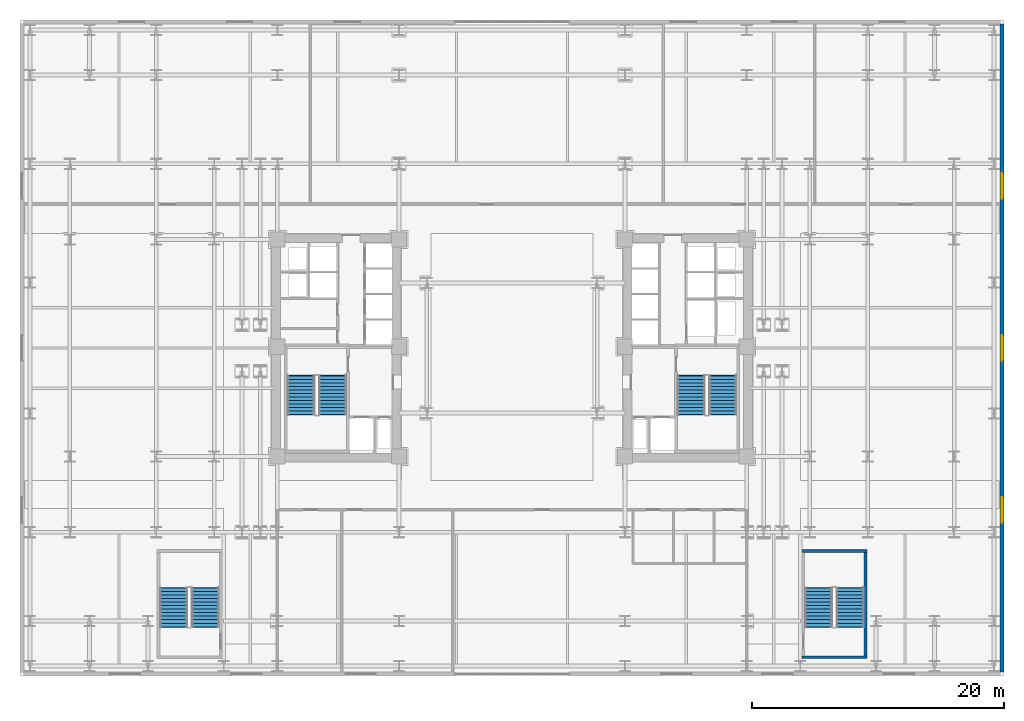
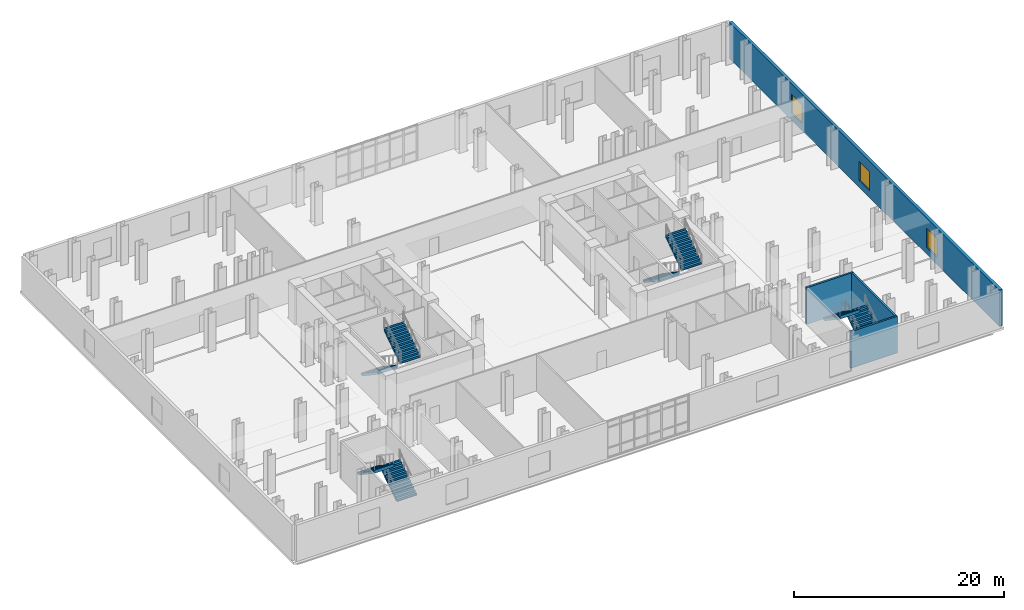
# One storey, part 11 of 15: 8 stair flights, 4 walls, 3 windows, 3 openings, 4 elements without a shape of their own.
"""IFC4 building model written with IfcOpenShell, lengths in metres."""

import ifcopenshell
import ifcopenshell.guid

model = None  # the IFC model being written
_history = None  # IfcOwnerHistory: only IFC2X3 demands one
_inside = {}  # id of a spatial element -> (the spatial element, [elements in it])
_under = {}  # id of a project, library or spatial element -> (it, [spatial elements below it])
_declared = {}  # id of a project -> (the project, [libraries it declares])
_typed = {}  # id of a type object -> (the type object, [elements of that type])
_made_of = {}  # id of a material, layer set ... -> (it, [elements and type objects made of it])


def new_model(schema):
    """Start an empty IFC model of exactly this schema.

    Asked for "IFC4X3", IfcOpenShell would pick the latest addendum, in which some entities
    have other attributes; the version numbers below select the first issue.
    IFC2X3 requires an IfcOwnerHistory on every rooted entity: one is made here for all.
    """
    global model, _history
    if schema == "IFC4X3":
        model = ifcopenshell.file(schema_version=(4, 3, 0, 0))
    else:
        model = ifcopenshell.file(schema=schema)
    _inside.clear()
    _under.clear()
    _declared.clear()
    _typed.clear()
    _made_of.clear()
    _history = None
    if model.schema == "IFC2X3":
        org = make("IfcOrganization", Name="unknown")
        user = make(
            "IfcPersonAndOrganization",
            ThePerson=make("IfcPerson", FamilyName="unknown"),
            TheOrganization=org,
        )
        app = make(
            "IfcApplication",
            ApplicationDeveloper=org,
            Version="unknown",
            ApplicationFullName="unknown",
            ApplicationIdentifier="unknown",
        )
        _history = make(
            "IfcOwnerHistory",
            OwningUser=user,
            OwningApplication=app,
            ChangeAction="ADDED",
            CreationDate=0,
        )
    return model


def make(cls, **values):
    """One entity of the class cls with the attributes given. An attribute that is None is left unset."""
    return model.create_entity(
        cls, **{name: value for name, value in values.items() if value is not None}
    )


def rooted(cls, **values):
    """An entity with a GlobalId (a new one), such as an element, a storey or a relation."""
    return make(cls, GlobalId=ifcopenshell.guid.new(), OwnerHistory=_history, **values)


def si_unit(unit_type, name, prefix=None):
    """IfcSIUnit, for example si_unit("LENGTHUNIT", "METRE", prefix="MILLI")."""
    return make("IfcSIUnit", UnitType=unit_type, Prefix=prefix, Name=name)


def assignment(units):
    """IfcUnitAssignment: the units of a project."""
    return None if units is None else make("IfcUnitAssignment", Units=units)


def point(xyz):
    """IfcCartesianPoint."""
    return None if xyz is None else make("IfcCartesianPoint", Coordinates=xyz)


def direction(xyz):
    """IfcDirection."""
    return None if xyz is None else make("IfcDirection", DirectionRatios=xyz)


def frame(location, z_axis=None, x_axis=None):
    """IfcAxis2Placement3D, a coordinate frame: its origin and axes. An axis left out is left unset."""
    return make(
        "IfcAxis2Placement3D",
        Location=point(location),
        Axis=direction(z_axis),
        RefDirection=direction(x_axis),
    )


def frame_2d(location, x_axis=None):
    """IfcAxis2Placement2D, a coordinate frame in the plane: its origin and x axis."""
    return make(
        "IfcAxis2Placement2D", Location=point(location), RefDirection=direction(x_axis)
    )


def origin():
    """The frame at (0, 0, 0) with its axes left unset."""
    return frame((0.0, 0.0, 0.0))


def place(relative_to, where):
    """IfcLocalPlacement: puts the frame where relative to a parent placement (None: the world)."""
    return make(
        "IfcLocalPlacement", PlacementRelTo=relative_to, RelativePlacement=where
    )


def context(
    kind, dimensions, precision=None, world=None, true_north=None, identifier=None
):
    """IfcGeometricRepresentationContext, for example the 3D "Model" context."""
    return make(
        "IfcGeometricRepresentationContext",
        ContextIdentifier=identifier,
        ContextType=kind,
        CoordinateSpaceDimension=dimensions,
        Precision=precision,
        WorldCoordinateSystem=world,
        TrueNorth=true_north,
    )


def subcontext(parent, identifier, kind, view, scale=None):
    """IfcGeometricRepresentationSubContext, for example "Body" below "Model"."""
    return make(
        "IfcGeometricRepresentationSubContext",
        ContextIdentifier=identifier,
        ContextType=kind,
        ParentContext=parent,
        TargetScale=scale,
        TargetView=view,
    )


def project(units=None, contexts=None):
    """IfcProject with its units and contexts."""
    return rooted(
        "IfcProject",
        Name="project",
        RepresentationContexts=contexts,
        UnitsInContext=assignment(units),
    )


def spatial(cls, under=None, at=None, **own):
    """A site, building, storey or space (cls), placed at a placement, below another one or the project."""
    s = rooted(cls, ObjectPlacement=at, **own)
    if under is not None:
        _under.setdefault(under.id(), (under, []))[1].append(s)
    return s


def polyline(points):
    """IfcPolyline through the points."""
    return make("IfcPolyline", Points=[point(p) for p in points])


def profile(cls, at=None, kind="AREA", **sizes):
    """A parametric profile (cls). Its sizes go by their IFC names, for example OverallWidth=200.0."""
    return make(cls, ProfileType=kind, Position=at, **sizes)


def rectangle(**sizes):
    """IfcRectangleProfileDef."""
    return profile("IfcRectangleProfileDef", **sizes)


def outline(outer, holes=None, kind="AREA"):
    """IfcArbitraryClosedProfileDef: a profile drawn as a closed curve; with holes, ...WithVoids."""
    if holes is None:
        return make("IfcArbitraryClosedProfileDef", ProfileType=kind, OuterCurve=outer)
    return make(
        "IfcArbitraryProfileDefWithVoids",
        ProfileType=kind,
        OuterCurve=outer,
        InnerCurves=holes,
    )


def extrude(swept, where, along, depth):
    """IfcExtrudedAreaSolid: the profile swept, set in the frame where, extruded along a direction by depth."""
    return make(
        "IfcExtrudedAreaSolid",
        SweptArea=swept,
        Position=where,
        ExtrudedDirection=direction(along),
        Depth=depth,
    )


def shape(context_of_items, identifier, shape_type, items):
    """IfcShapeRepresentation: the items that make up one representation, for example the "Body"."""
    return make(
        "IfcShapeRepresentation",
        ContextOfItems=context_of_items,
        RepresentationIdentifier=identifier,
        RepresentationType=shape_type,
        Items=items,
    )


def material(Name=None, Category=None):
    """IfcMaterial."""
    return make("IfcMaterial", Name=Name, Category=Category)


def layer(
    of_material, thickness, ventilated=None, Name=None, Category=None, Priority=None
):
    """IfcMaterialLayer: one layer of a wall or slab, of a material (None: an air gap)."""
    return make(
        "IfcMaterialLayer",
        Material=of_material,
        LayerThickness=thickness,
        IsVentilated=ventilated,
        Name=Name,
        Category=Category,
        Priority=Priority,
    )


def layer_set(layers, Name=None):
    """IfcMaterialLayerSet."""
    return make("IfcMaterialLayerSet", MaterialLayers=layers, LayerSetName=Name)


def made_of(thing, what):
    """Note that an element or type object is made of a material, layer set ...; save() writes the relation."""
    if what is not None:
        _made_of.setdefault(what.id(), (what, []))[1].append(thing)
    return thing


def type_object(cls, material=None, **own):
    """A type object (cls), such as IfcWallType, which elements share."""
    return made_of(rooted(cls, **own), material)


def element(
    cls,
    number,
    at=None,
    inside=None,
    cuts=None,
    type_object=None,
    material=None,
    context=None,
    identifier="Body",
    shape_type=None,
    held_by="IfcProductDefinitionShape",
    body=None,
    shapes=None,
    **own,
):
    """One element of the class cls, such as IfcWall. Its Tag is "e" and its number.

    at: its placement. inside: the storey or other place that contains it. cuts: it is an
    opening in that element (IfcRelVoidsElement). A single representation is given by context,
    identifier, shape_type and body (its items); several are given by shapes. held_by: the class
    of the entity that holds the representations. save() writes the other relations.
    """
    e = rooted(cls, Tag="e%d" % number, ObjectPlacement=at, **own)
    if body is not None:
        shapes = [shape(context, identifier, shape_type, body)]
    if shapes is not None:
        e.Representation = make(held_by, Representations=shapes)
    if inside is not None:
        _inside.setdefault(inside.id(), (inside, []))[1].append(e)
    if cuts is not None:
        rooted(
            "IfcRelVoidsElement", RelatingBuildingElement=cuts, RelatedOpeningElement=e
        )
    if type_object is not None:
        _typed.setdefault(type_object.id(), (type_object, []))[1].append(e)
    return made_of(e, material)


def fill(opening, filler):
    """IfcRelFillsElement: the door or window that sits in an opening."""
    return rooted(
        "IfcRelFillsElement",
        RelatingOpeningElement=opening,
        RelatedBuildingElement=filler,
    )


def aggregate(whole, parts):
    """IfcRelAggregates: a whole, such as a stair, and the parts it consists of."""
    return rooted("IfcRelAggregates", RelatingObject=whole, RelatedObjects=parts)


def save(model, path):
    """Write the relations noted so far, then the file.

    IfcRelAggregates (storeys below a building ...), IfcRelContainedInSpatialStructure (elements
    in a storey), IfcRelDefinesByType, IfcRelAssociatesMaterial and IfcRelDeclares: one each for
    every whole, place, type object, material and project.
    """
    for whole, parts in _under.values():
        aggregate(whole, parts)
    for where, things in _inside.values():
        rooted(
            "IfcRelContainedInSpatialStructure",
            RelatedElements=things,
            RelatingStructure=where,
        )
    for kind, things in _typed.values():
        rooted("IfcRelDefinesByType", RelatedObjects=things, RelatingType=kind)
    for what, things in _made_of.values():
        rooted("IfcRelAssociatesMaterial", RelatedObjects=things, RelatingMaterial=what)
    for by, libraries in _declared.values():
        rooted("IfcRelDeclares", RelatingContext=by, RelatedDefinitions=libraries)
    model.write(path)


model = new_model("IFC4")

# Units and contexts
model_context = context("Model", 3, precision=1e-05, world=origin(), true_north=direction((0.0, 1.0)))
body_context = subcontext(model_context, "Body", "Model", "MODEL_VIEW")
ifc_project = project(units=[si_unit("LENGTHUNIT", "METRE"), si_unit("AREAUNIT", "SQUARE_METRE"), si_unit("VOLUMEUNIT", "CUBIC_METRE"), si_unit("PLANEANGLEUNIT", "RADIAN"), si_unit("MASSUNIT", "GRAM", prefix="KILO")], contexts=[model_context])

# Site, building, storey
site_placement = place(None, origin())
site = spatial("IfcSite", under=ifc_project, at=site_placement, CompositionType="ELEMENT")
building_placement = place(site_placement, origin())
building = spatial("IfcBuilding", under=site, at=building_placement, Name="Velakula Bourse", CompositionType="ELEMENT")
storey_placement = place(building_placement, frame((0.0, 0.0, 14.10009765625)))
storey = spatial("IfcBuildingStorey", under=building, at=storey_placement, Name="L03", CompositionType="ELEMENT", Elevation=14.10009765625)

# Walls
ifc_material_1 = material(Name="Concrete M50 (fck 50 MPa)", Category="concrete")
ifc_layer_1 = layer(ifc_material_1, 0.2099609375, Name="Concrete M50 (fck 50 MPa)", Category="concrete")
ifc_layer_set_1 = layer_set([ifc_layer_1], Name="Concrete M50 (fck 50 MPa)")
wall_type_1 = type_object("IfcWallType", Name="WL-CORE-210", PredefinedType="SHEAR", material=ifc_layer_set_1)
for number, where, z_axis, x_axis, name in (
    (1, (22.989990234375, -24.5048828125, 0.0), (0.0, 0.0, 1.0), (1.0, 0.0, 0.0), "L03 Podium Stair ST-P2 Shear Wall S"),
    (2, (22.989990234375, -16.094970703125, 0.0), (0.0, 0.0, 1.0), (1.0, 0.0, 0.0), "L03 Podium Stair ST-P2 Shear Wall N"),
):
    element("IfcWall", number, at=place(storey_placement, frame(where, z_axis=z_axis, x_axis=x_axis)), inside=storey, type_object=wall_type_1, Name=name, PredefinedType="SHEAR", context=body_context, shape_type="SweptSolid", body=[
        extrude(rectangle(XDim=5.139892578125, YDim=0.2099609375, at=frame_2d((2.56982421875, 0.0))), origin(), (0.0, 0.0, 1.0), 4.25),
    ])
wall_1_placement = place(storey_placement, frame((28.02490234375, -24.39990234375, 0.0), z_axis=(0.0, 0.0, 1.0), x_axis=(0.0, 1.0, 0.0)))
element("IfcWall", 3, at=wall_1_placement, inside=storey, type_object=wall_type_1, Name="L03 Podium Stair ST-P2 Shear Wall E", PredefinedType="SHEAR", context=body_context, shape_type="SweptSolid", body=[
    extrude(rectangle(XDim=8.199951171875, YDim=0.2099609375, at=frame_2d((4.10009765625, 0.0))), origin(), (0.0, 0.0, 1.0), 4.25),
])

# Wall, openings, windows
ifc_material_2 = material(Name="Red kilned clay facing brick masonry", Category="masonry")
ifc_layer_2 = layer(ifc_material_2, 0.320068359375, Name="Red kilned clay facing brick masonry", Category="masonry")
ifc_layer_set_2 = layer_set([ifc_layer_2], Name="Red kilned clay facing brick masonry")
wall_type_2 = type_object("IfcWallType", Name="WL-EXT-BRK-320", PredefinedType="STANDARD", material=ifc_layer_set_2)
wall_2_placement = place(storey_placement, frame((38.840087890625, 25.679931640625, 0.0), z_axis=(0.0, 0.0, 1.0), x_axis=(0.0, -1.0, 0.0)))
wall_2 = element("IfcWall", 4, at=wall_2_placement, inside=storey, type_object=wall_type_2, Name="L03 E Brick Facade Wall", PredefinedType="STANDARD", context=body_context, shape_type="SweptSolid", body=[
    extrude(rectangle(XDim=51.35986328125, YDim=0.320068359375, at=frame_2d((25.679931640625, 0.0))), origin(), (0.0, 0.0, 1.0), 4.22998046875),
])
opening_1_placement = place(wall_2_placement, frame((11.840087890625, 0.0, 0.800048828125)))
opening_1 = element("IfcOpeningElement", 5, at=opening_1_placement, cuts=wall_2, Name="Opening W-07", PredefinedType="OPENING", context=body_context, shape_type="SweptSolid", body=[
    extrude(rectangle(XDim=2.0, YDim=2.199951171875, at=frame_2d((1.0, 1.10009765625))), frame((0.0, 0.169921875, 0.0), z_axis=(0.0, -1.0, 0.0), x_axis=(1.0, 0.0, 0.0)), (0.0, 0.0, 1.0), 0.340087890625),
])
opening_2_placement = place(wall_2_placement, frame((24.679931640625, 0.0, 0.800048828125)))
opening_2 = element("IfcOpeningElement", 6, at=opening_2_placement, cuts=wall_2, Name="Opening W-07", PredefinedType="OPENING", context=body_context, shape_type="SweptSolid", body=[
    extrude(rectangle(XDim=2.0, YDim=2.199951171875, at=frame_2d((1.0, 1.10009765625))), frame((0.0, 0.169921875, 0.0), z_axis=(0.0, -1.0, 0.0), x_axis=(1.0, 0.0, 0.0)), (0.0, 0.0, 1.0), 0.340087890625),
])
opening_3_placement = place(wall_2_placement, frame((37.52001953125, 0.0, 0.800048828125)))
opening_3 = element("IfcOpeningElement", 7, at=opening_3_placement, cuts=wall_2, Name="Opening W-07", PredefinedType="OPENING", context=body_context, shape_type="SweptSolid", body=[
    extrude(rectangle(XDim=2.0, YDim=2.199951171875, at=frame_2d((1.0, 1.10009765625))), frame((0.0, 0.169921875, 0.0), z_axis=(0.0, -1.0, 0.0), x_axis=(1.0, 0.0, 0.0)), (0.0, 0.0, 1.0), 0.340087890625),
])
ifc_material_3 = material(Name="Double-glazed solar-control Low-E glass", Category="glass")
window_type = type_object("IfcWindowType", Name="WIN-POD-2000x2400", PartitioningType="DOUBLE_PANEL_VERTICAL", PredefinedType="WINDOW", material=ifc_material_3)
window_1_placement = place(opening_1_placement, origin())
window_1 = element("IfcWindow", 8, at=window_1_placement, inside=storey, type_object=window_type, Name="L03 Deep-Set Recessed Window 1", OverallHeight=2.199951171875, OverallWidth=2.0, PartitioningType="DOUBLE_PANEL_VERTICAL", PredefinedType="WINDOW", context=body_context, shape_type="SweptSolid", body=[
    extrude(rectangle(XDim=2.0, YDim=2.199951171875, at=frame_2d((1.0, 1.10009765625))), frame((0.0, 0.030029296875, 0.0), z_axis=(0.0, -1.0, 0.0), x_axis=(1.0, 0.0, 0.0)), (0.0, 0.0, 1.0), 0.06005859375),
])
fill(opening_1, window_1)
window_2_placement = place(opening_2_placement, origin())
window_2 = element("IfcWindow", 9, at=window_2_placement, inside=storey, type_object=window_type, Name="L03 Deep-Set Recessed Window 2", OverallHeight=2.199951171875, OverallWidth=2.0, PartitioningType="DOUBLE_PANEL_VERTICAL", PredefinedType="WINDOW", context=body_context, shape_type="SweptSolid", body=[
    extrude(rectangle(XDim=2.0, YDim=2.199951171875, at=frame_2d((1.0, 1.10009765625))), frame((0.0, 0.030029296875, 0.0), z_axis=(0.0, -1.0, 0.0), x_axis=(1.0, 0.0, 0.0)), (0.0, 0.0, 1.0), 0.06005859375),
])
fill(opening_2, window_2)
window_3_placement = place(opening_3_placement, origin())
window_3 = element("IfcWindow", 10, at=window_3_placement, inside=storey, type_object=window_type, Name="L03 Deep-Set Recessed Window 3", OverallHeight=2.199951171875, OverallWidth=2.0, PartitioningType="DOUBLE_PANEL_VERTICAL", PredefinedType="WINDOW", context=body_context, shape_type="SweptSolid", body=[
    extrude(rectangle(XDim=2.0, YDim=2.199951171875, at=frame_2d((1.0, 1.10009765625))), frame((0.0, 0.030029296875, 0.0), z_axis=(0.0, -1.0, 0.0), x_axis=(1.0, 0.0, 0.0)), (0.0, 0.0, 1.0), 0.06005859375),
])
fill(opening_3, window_3)

# Stair, stair flights
ifc_material_4 = material(Name="Concrete M45 (fck 45 MPa)", Category="concrete")
stair_type = type_object("IfcStairType", Name="STR-DOG-435", PredefinedType="HALF_TURN_STAIR", material=ifc_material_4)
stair_1_placement = place(storey_placement, origin())
stair_1 = element("IfcStair", 11, at=stair_1_placement, inside=storey, type_object=stair_type, Name="L03 West Core Exit Stair ST-W1", PredefinedType="HALF_TURN_STAIR")
ifc_layer_3 = layer(ifc_material_4, 0.199951171875, Name="Concrete M45 (fck 45 MPa)", Category="concrete")
ifc_layer_set_3 = layer_set([ifc_layer_3], Name="Concrete M45 (fck 45 MPa)")
stair_flight_type = type_object("IfcStairFlightType", Name="FLT-DOG-435", PredefinedType="STRAIGHT", material=ifc_layer_set_3)
stair_flight_1_placement = place(storey_placement, frame((-16.720947265625, -2.199951171875, 0.0), z_axis=(0.0, 0.0, 1.0), x_axis=(0.0, -1.0, 0.0)))
stair_flight_1 = element("IfcStairFlight", 12, at=stair_flight_1_placement, type_object=stair_flight_type, Name="ST-W1 flight 1", NumberOfRisers=12, NumberOfTreads=11, PredefinedType="STRAIGHT", RiserHeight=0.1875, TreadLength=0.28, context=body_context, shape_type="SweptSolid", body=[
    extrude(outline(polyline([(-0.044921875, -0.0400390625), (-0.044921875, -0.036865234375), (-0.044921875, -0.033935546875), (-0.044921875, -0.03076171875), (-0.044921875, -0.027587890625), (-0.044921875, -0.024658203125), (-0.044921875, -0.021484375), (-0.044921875, -0.0185546875), (-0.044921875, -0.015380859375), (-0.044921875, -0.01220703125), (-0.044921875, -0.00927734375), (-0.044921875, -0.006103515625), (-0.044921875, -0.003173828125), (-0.044921875, 0.0), (0.0, 0.0), (0.0, 0.1875), (0.280029296875, 0.1875), (0.280029296875, 0.375), (0.56005859375, 0.375), (0.56005859375, 0.5625), (0.840087890625, 0.5625), (0.840087890625, 0.75), (1.1201171875, 0.75), (1.1201171875, 0.9375), (1.39990234375, 0.9375), (1.39990234375, 1.125), (1.679931640625, 1.125), (1.679931640625, 1.3125), (1.9599609375, 1.3125), (1.9599609375, 1.5), (2.239990234375, 1.5), (2.239990234375, 1.6875), (2.52001953125, 1.6875), (2.52001953125, 1.875), (2.800048828125, 1.875), (2.800048828125, 2.0625), (3.080078125, 2.0625), (3.080078125, 2.25), (3.125, 2.25), (3.125, 2.2236328125), (3.125, 2.197509765625), (3.125, 2.171142578125), (3.125, 2.144775390625), (3.125, 2.11865234375), (3.125, 2.09228515625), (3.125, 2.066162109375), (3.125, 2.039794921875), (3.125, 2.013427734375), (3.125, 1.9873046875), (3.125, 1.9609375), (3.125, 1.9345703125), (3.125, 1.908447265625), (3.125, 1.882080078125), (0.26953125, -0.0400390625), (-0.044921875, -0.0400390625)])), frame((0.0, 1.09912109375, 0.0), z_axis=(0.0, -1.0, 0.0), x_axis=(1.0, 0.0, 0.0)), (0.0, 0.0, 1.0), 2.197998046875),
])
stair_flight_2_placement = place(storey_placement, frame((-14.198974609375, -5.280029296875, 2.25), z_axis=(0.0, 0.0, 1.0), x_axis=(0.0, 1.0, 0.0)))
stair_flight_2 = element("IfcStairFlight", 13, at=stair_flight_2_placement, type_object=stair_flight_type, Name="ST-W1 flight 2", NumberOfRisers=12, NumberOfTreads=11, PredefinedType="STRAIGHT", RiserHeight=0.1875, TreadLength=0.28, context=body_context, shape_type="SweptSolid", body=[
    extrude(outline(polyline([(-0.044921875, -0.0400390625), (-0.044921875, -0.036865234375), (-0.044921875, -0.033935546875), (-0.044921875, -0.03076171875), (-0.044921875, -0.027587890625), (-0.044921875, -0.024658203125), (-0.044921875, -0.021484375), (-0.044921875, -0.0185546875), (-0.044921875, -0.015380859375), (-0.044921875, -0.01220703125), (-0.044921875, -0.00927734375), (-0.044921875, -0.006103515625), (-0.044921875, -0.003173828125), (-0.044921875, 0.0), (0.0, 0.0), (0.0, 0.1875), (0.280029296875, 0.1875), (0.280029296875, 0.375), (0.56005859375, 0.375), (0.56005859375, 0.5625), (0.840087890625, 0.5625), (0.840087890625, 0.75), (1.1201171875, 0.75), (1.1201171875, 0.9375), (1.39990234375, 0.9375), (1.39990234375, 1.125), (1.679931640625, 1.125), (1.679931640625, 1.3125), (1.9599609375, 1.3125), (1.9599609375, 1.5), (2.239990234375, 1.5), (2.239990234375, 1.6875), (2.52001953125, 1.6875), (2.52001953125, 1.875), (2.800048828125, 1.875), (2.800048828125, 2.0625), (3.080078125, 2.0625), (3.080078125, 2.25), (3.125, 2.25), (3.125, 2.2236328125), (3.125, 2.197509765625), (3.125, 2.171142578125), (3.125, 2.144775390625), (3.125, 2.11865234375), (3.125, 2.09228515625), (3.125, 2.066162109375), (3.125, 2.039794921875), (3.125, 2.013427734375), (3.125, 1.9873046875), (3.125, 1.9609375), (3.125, 1.9345703125), (3.125, 1.908447265625), (3.125, 1.882080078125), (0.26953125, -0.0400390625), (-0.044921875, -0.0400390625)])), frame((0.0, 1.09912109375, 0.0), z_axis=(0.0, -1.0, 0.0), x_axis=(1.0, 0.0, 0.0)), (0.0, 0.0, 1.0), 2.197998046875),
])
aggregate(stair_1, [stair_flight_1, stair_flight_2])

stair_2_placement = place(storey_placement, origin())
stair_2 = element("IfcStair", 14, at=stair_2_placement, inside=storey, type_object=stair_type, Name="L03 East Core Exit Stair ST-E1", PredefinedType="HALF_TURN_STAIR")
stair_flight_3_placement = place(storey_placement, frame((14.198974609375, -2.199951171875, 0.0), z_axis=(0.0, 0.0, 1.0), x_axis=(0.0, -1.0, 0.0)))
stair_flight_3 = element("IfcStairFlight", 15, at=stair_flight_3_placement, type_object=stair_flight_type, Name="ST-E1 flight 1", NumberOfRisers=12, NumberOfTreads=11, PredefinedType="STRAIGHT", RiserHeight=0.1875, TreadLength=0.28, context=body_context, shape_type="SweptSolid", body=[
    extrude(outline(polyline([(-0.044921875, -0.0400390625), (-0.044921875, -0.036865234375), (-0.044921875, -0.033935546875), (-0.044921875, -0.03076171875), (-0.044921875, -0.027587890625), (-0.044921875, -0.024658203125), (-0.044921875, -0.021484375), (-0.044921875, -0.0185546875), (-0.044921875, -0.015380859375), (-0.044921875, -0.01220703125), (-0.044921875, -0.00927734375), (-0.044921875, -0.006103515625), (-0.044921875, -0.003173828125), (-0.044921875, 0.0), (0.0, 0.0), (0.0, 0.1875), (0.280029296875, 0.1875), (0.280029296875, 0.375), (0.56005859375, 0.375), (0.56005859375, 0.5625), (0.840087890625, 0.5625), (0.840087890625, 0.75), (1.1201171875, 0.75), (1.1201171875, 0.9375), (1.39990234375, 0.9375), (1.39990234375, 1.125), (1.679931640625, 1.125), (1.679931640625, 1.3125), (1.9599609375, 1.3125), (1.9599609375, 1.5), (2.239990234375, 1.5), (2.239990234375, 1.6875), (2.52001953125, 1.6875), (2.52001953125, 1.875), (2.800048828125, 1.875), (2.800048828125, 2.0625), (3.080078125, 2.0625), (3.080078125, 2.25), (3.125, 2.25), (3.125, 2.2236328125), (3.125, 2.197509765625), (3.125, 2.171142578125), (3.125, 2.144775390625), (3.125, 2.11865234375), (3.125, 2.09228515625), (3.125, 2.066162109375), (3.125, 2.039794921875), (3.125, 2.013427734375), (3.125, 1.9873046875), (3.125, 1.9609375), (3.125, 1.9345703125), (3.125, 1.908447265625), (3.125, 1.882080078125), (0.26953125, -0.0400390625), (-0.044921875, -0.0400390625)])), frame((0.0, 1.09912109375, 0.0), z_axis=(0.0, -1.0, 0.0), x_axis=(1.0, 0.0, 0.0)), (0.0, 0.0, 1.0), 2.197998046875),
])
stair_flight_4_placement = place(storey_placement, frame((16.720947265625, -5.280029296875, 2.25), z_axis=(0.0, 0.0, 1.0), x_axis=(0.0, 1.0, 0.0)))
stair_flight_4 = element("IfcStairFlight", 16, at=stair_flight_4_placement, type_object=stair_flight_type, Name="ST-E1 flight 2", NumberOfRisers=12, NumberOfTreads=11, PredefinedType="STRAIGHT", RiserHeight=0.1875, TreadLength=0.28, context=body_context, shape_type="SweptSolid", body=[
    extrude(outline(polyline([(-0.044921875, -0.0400390625), (-0.044921875, -0.036865234375), (-0.044921875, -0.033935546875), (-0.044921875, -0.03076171875), (-0.044921875, -0.027587890625), (-0.044921875, -0.024658203125), (-0.044921875, -0.021484375), (-0.044921875, -0.0185546875), (-0.044921875, -0.015380859375), (-0.044921875, -0.01220703125), (-0.044921875, -0.00927734375), (-0.044921875, -0.006103515625), (-0.044921875, -0.003173828125), (-0.044921875, 0.0), (0.0, 0.0), (0.0, 0.1875), (0.280029296875, 0.1875), (0.280029296875, 0.375), (0.56005859375, 0.375), (0.56005859375, 0.5625), (0.840087890625, 0.5625), (0.840087890625, 0.75), (1.1201171875, 0.75), (1.1201171875, 0.9375), (1.39990234375, 0.9375), (1.39990234375, 1.125), (1.679931640625, 1.125), (1.679931640625, 1.3125), (1.9599609375, 1.3125), (1.9599609375, 1.5), (2.239990234375, 1.5), (2.239990234375, 1.6875), (2.52001953125, 1.6875), (2.52001953125, 1.875), (2.800048828125, 1.875), (2.800048828125, 2.0625), (3.080078125, 2.0625), (3.080078125, 2.25), (3.125, 2.25), (3.125, 2.2236328125), (3.125, 2.197509765625), (3.125, 2.171142578125), (3.125, 2.144775390625), (3.125, 2.11865234375), (3.125, 2.09228515625), (3.125, 2.066162109375), (3.125, 2.039794921875), (3.125, 2.013427734375), (3.125, 1.9873046875), (3.125, 1.9609375), (3.125, 1.9345703125), (3.125, 1.908447265625), (3.125, 1.882080078125), (0.26953125, -0.0400390625), (-0.044921875, -0.0400390625)])), frame((0.0, 1.09912109375, 0.0), z_axis=(0.0, -1.0, 0.0), x_axis=(1.0, 0.0, 0.0)), (0.0, 0.0, 1.0), 2.197998046875),
])
aggregate(stair_2, [stair_flight_3, stair_flight_4])

stair_3_placement = place(storey_placement, origin())
stair_3 = element("IfcStair", 17, at=stair_3_placement, inside=storey, type_object=stair_type, Name="L03 West Podium Exit Stair ST-P1", PredefinedType="HALF_TURN_STAIR")
stair_flight_5_placement = place(storey_placement, frame((-24.299072265625, -22.10009765625, 0.0), z_axis=(0.0, 0.0, 1.0), x_axis=(0.0, 1.0, 0.0)))
stair_flight_5 = element("IfcStairFlight", 18, at=stair_flight_5_placement, type_object=stair_flight_type, Name="ST-P1 flight 1", NumberOfRisers=12, NumberOfTreads=11, PredefinedType="STRAIGHT", RiserHeight=0.1875, TreadLength=0.28, context=body_context, shape_type="SweptSolid", body=[
    extrude(outline(polyline([(-0.044921875, -0.0400390625), (-0.044921875, -0.036865234375), (-0.044921875, -0.033935546875), (-0.044921875, -0.03076171875), (-0.044921875, -0.027587890625), (-0.044921875, -0.024658203125), (-0.044921875, -0.021484375), (-0.044921875, -0.0185546875), (-0.044921875, -0.015380859375), (-0.044921875, -0.01220703125), (-0.044921875, -0.00927734375), (-0.044921875, -0.006103515625), (-0.044921875, -0.003173828125), (-0.044921875, 0.0), (0.0, 0.0), (0.0, 0.1875), (0.280029296875, 0.1875), (0.280029296875, 0.375), (0.56005859375, 0.375), (0.56005859375, 0.5625), (0.840087890625, 0.5625), (0.840087890625, 0.75), (1.1201171875, 0.75), (1.1201171875, 0.9375), (1.39990234375, 0.9375), (1.39990234375, 1.125), (1.679931640625, 1.125), (1.679931640625, 1.3125), (1.9599609375, 1.3125), (1.9599609375, 1.5), (2.239990234375, 1.5), (2.239990234375, 1.6875), (2.52001953125, 1.6875), (2.52001953125, 1.875), (2.800048828125, 1.875), (2.800048828125, 2.0625), (3.080078125, 2.0625), (3.080078125, 2.25), (3.125, 2.25), (3.125, 2.2236328125), (3.125, 2.197509765625), (3.125, 2.171142578125), (3.125, 2.144775390625), (3.125, 2.11865234375), (3.125, 2.09228515625), (3.125, 2.066162109375), (3.125, 2.039794921875), (3.125, 2.013427734375), (3.125, 1.9873046875), (3.125, 1.9609375), (3.125, 1.9345703125), (3.125, 1.908447265625), (3.125, 1.882080078125), (0.26953125, -0.0400390625), (-0.044921875, -0.0400390625)])), frame((0.0, 1.09912109375, 0.0), z_axis=(0.0, -1.0, 0.0), x_axis=(1.0, 0.0, 0.0)), (0.0, 0.0, 1.0), 2.197998046875),
])
stair_flight_6_placement = place(storey_placement, frame((-26.821044921875, -19.02001953125, 2.25), z_axis=(0.0, 0.0, 1.0), x_axis=(0.0, -1.0, 0.0)))
stair_flight_6 = element("IfcStairFlight", 19, at=stair_flight_6_placement, type_object=stair_flight_type, Name="ST-P1 flight 2", NumberOfRisers=12, NumberOfTreads=11, PredefinedType="STRAIGHT", RiserHeight=0.1875, TreadLength=0.28, context=body_context, shape_type="SweptSolid", body=[
    extrude(outline(polyline([(-0.044921875, -0.0400390625), (-0.044921875, -0.036865234375), (-0.044921875, -0.033935546875), (-0.044921875, -0.03076171875), (-0.044921875, -0.027587890625), (-0.044921875, -0.024658203125), (-0.044921875, -0.021484375), (-0.044921875, -0.0185546875), (-0.044921875, -0.015380859375), (-0.044921875, -0.01220703125), (-0.044921875, -0.00927734375), (-0.044921875, -0.006103515625), (-0.044921875, -0.003173828125), (-0.044921875, 0.0), (0.0, 0.0), (0.0, 0.1875), (0.280029296875, 0.1875), (0.280029296875, 0.375), (0.56005859375, 0.375), (0.56005859375, 0.5625), (0.840087890625, 0.5625), (0.840087890625, 0.75), (1.1201171875, 0.75), (1.1201171875, 0.9375), (1.39990234375, 0.9375), (1.39990234375, 1.125), (1.679931640625, 1.125), (1.679931640625, 1.3125), (1.9599609375, 1.3125), (1.9599609375, 1.5), (2.239990234375, 1.5), (2.239990234375, 1.6875), (2.52001953125, 1.6875), (2.52001953125, 1.875), (2.800048828125, 1.875), (2.800048828125, 2.0625), (3.080078125, 2.0625), (3.080078125, 2.25), (3.125, 2.25), (3.125, 2.2236328125), (3.125, 2.197509765625), (3.125, 2.171142578125), (3.125, 2.144775390625), (3.125, 2.11865234375), (3.125, 2.09228515625), (3.125, 2.066162109375), (3.125, 2.039794921875), (3.125, 2.013427734375), (3.125, 1.9873046875), (3.125, 1.9609375), (3.125, 1.9345703125), (3.125, 1.908447265625), (3.125, 1.882080078125), (0.26953125, -0.0400390625), (-0.044921875, -0.0400390625)])), frame((0.0, 1.09912109375, 0.0), z_axis=(0.0, -1.0, 0.0), x_axis=(1.0, 0.0, 0.0)), (0.0, 0.0, 1.0), 2.197998046875),
])
aggregate(stair_3, [stair_flight_5, stair_flight_6])

stair_4_placement = place(storey_placement, origin())
stair_4 = element("IfcStair", 20, at=stair_4_placement, inside=storey, type_object=stair_type, Name="L03 East Podium Exit Stair ST-P2", PredefinedType="HALF_TURN_STAIR")
stair_flight_7_placement = place(storey_placement, frame((26.821044921875, -22.10009765625, 0.0), z_axis=(0.0, 0.0, 1.0), x_axis=(0.0, 1.0, 0.0)))
stair_flight_7 = element("IfcStairFlight", 21, at=stair_flight_7_placement, type_object=stair_flight_type, Name="ST-P2 flight 1", NumberOfRisers=12, NumberOfTreads=11, PredefinedType="STRAIGHT", RiserHeight=0.1875, TreadLength=0.28, context=body_context, shape_type="SweptSolid", body=[
    extrude(outline(polyline([(-0.044921875, -0.0400390625), (-0.044921875, -0.036865234375), (-0.044921875, -0.033935546875), (-0.044921875, -0.03076171875), (-0.044921875, -0.027587890625), (-0.044921875, -0.024658203125), (-0.044921875, -0.021484375), (-0.044921875, -0.0185546875), (-0.044921875, -0.015380859375), (-0.044921875, -0.01220703125), (-0.044921875, -0.00927734375), (-0.044921875, -0.006103515625), (-0.044921875, -0.003173828125), (-0.044921875, 0.0), (0.0, 0.0), (0.0, 0.1875), (0.280029296875, 0.1875), (0.280029296875, 0.375), (0.56005859375, 0.375), (0.56005859375, 0.5625), (0.840087890625, 0.5625), (0.840087890625, 0.75), (1.1201171875, 0.75), (1.1201171875, 0.9375), (1.39990234375, 0.9375), (1.39990234375, 1.125), (1.679931640625, 1.125), (1.679931640625, 1.3125), (1.9599609375, 1.3125), (1.9599609375, 1.5), (2.239990234375, 1.5), (2.239990234375, 1.6875), (2.52001953125, 1.6875), (2.52001953125, 1.875), (2.800048828125, 1.875), (2.800048828125, 2.0625), (3.080078125, 2.0625), (3.080078125, 2.25), (3.125, 2.25), (3.125, 2.2236328125), (3.125, 2.197509765625), (3.125, 2.171142578125), (3.125, 2.144775390625), (3.125, 2.11865234375), (3.125, 2.09228515625), (3.125, 2.066162109375), (3.125, 2.039794921875), (3.125, 2.013427734375), (3.125, 1.9873046875), (3.125, 1.9609375), (3.125, 1.9345703125), (3.125, 1.908447265625), (3.125, 1.882080078125), (0.26953125, -0.0400390625), (-0.044921875, -0.0400390625)])), frame((0.0, 1.09912109375, 0.0), z_axis=(0.0, -1.0, 0.0), x_axis=(1.0, 0.0, 0.0)), (0.0, 0.0, 1.0), 2.197998046875),
])
stair_flight_8_placement = place(storey_placement, frame((24.299072265625, -19.02001953125, 2.25), z_axis=(0.0, 0.0, 1.0), x_axis=(0.0, -1.0, 0.0)))
stair_flight_8 = element("IfcStairFlight", 22, at=stair_flight_8_placement, type_object=stair_flight_type, Name="ST-P2 flight 2", NumberOfRisers=12, NumberOfTreads=11, PredefinedType="STRAIGHT", RiserHeight=0.1875, TreadLength=0.28, context=body_context, shape_type="SweptSolid", body=[
    extrude(outline(polyline([(-0.044921875, -0.0400390625), (-0.044921875, -0.036865234375), (-0.044921875, -0.033935546875), (-0.044921875, -0.03076171875), (-0.044921875, -0.027587890625), (-0.044921875, -0.024658203125), (-0.044921875, -0.021484375), (-0.044921875, -0.0185546875), (-0.044921875, -0.015380859375), (-0.044921875, -0.01220703125), (-0.044921875, -0.00927734375), (-0.044921875, -0.006103515625), (-0.044921875, -0.003173828125), (-0.044921875, 0.0), (0.0, 0.0), (0.0, 0.1875), (0.280029296875, 0.1875), (0.280029296875, 0.375), (0.56005859375, 0.375), (0.56005859375, 0.5625), (0.840087890625, 0.5625), (0.840087890625, 0.75), (1.1201171875, 0.75), (1.1201171875, 0.9375), (1.39990234375, 0.9375), (1.39990234375, 1.125), (1.679931640625, 1.125), (1.679931640625, 1.3125), (1.9599609375, 1.3125), (1.9599609375, 1.5), (2.239990234375, 1.5), (2.239990234375, 1.6875), (2.52001953125, 1.6875), (2.52001953125, 1.875), (2.800048828125, 1.875), (2.800048828125, 2.0625), (3.080078125, 2.0625), (3.080078125, 2.25), (3.125, 2.25), (3.125, 2.2236328125), (3.125, 2.197509765625), (3.125, 2.171142578125), (3.125, 2.144775390625), (3.125, 2.11865234375), (3.125, 2.09228515625), (3.125, 2.066162109375), (3.125, 2.039794921875), (3.125, 2.013427734375), (3.125, 1.9873046875), (3.125, 1.9609375), (3.125, 1.9345703125), (3.125, 1.908447265625), (3.125, 1.882080078125), (0.26953125, -0.0400390625), (-0.044921875, -0.0400390625)])), frame((0.0, 1.09912109375, 0.0), z_axis=(0.0, -1.0, 0.0), x_axis=(1.0, 0.0, 0.0)), (0.0, 0.0, 1.0), 2.197998046875),
])
aggregate(stair_4, [stair_flight_7, stair_flight_8])

save(model, "model.ifc")
